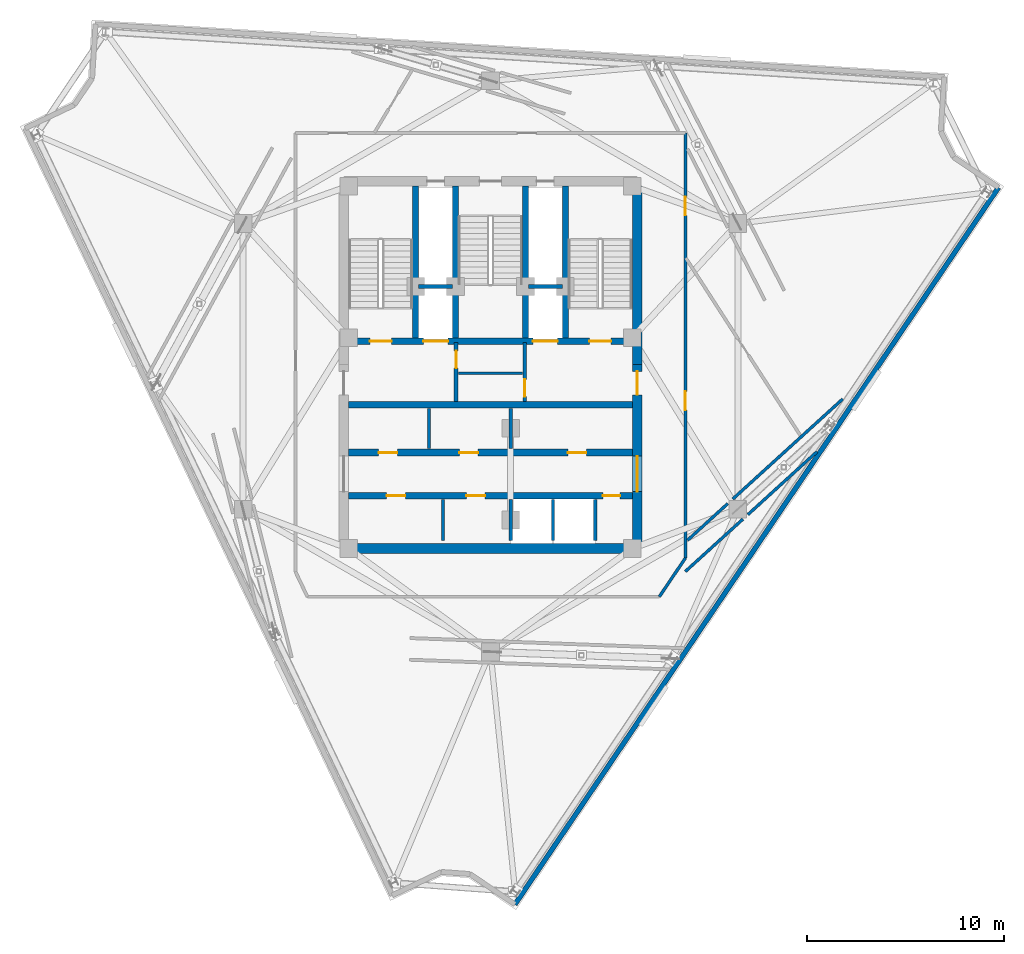
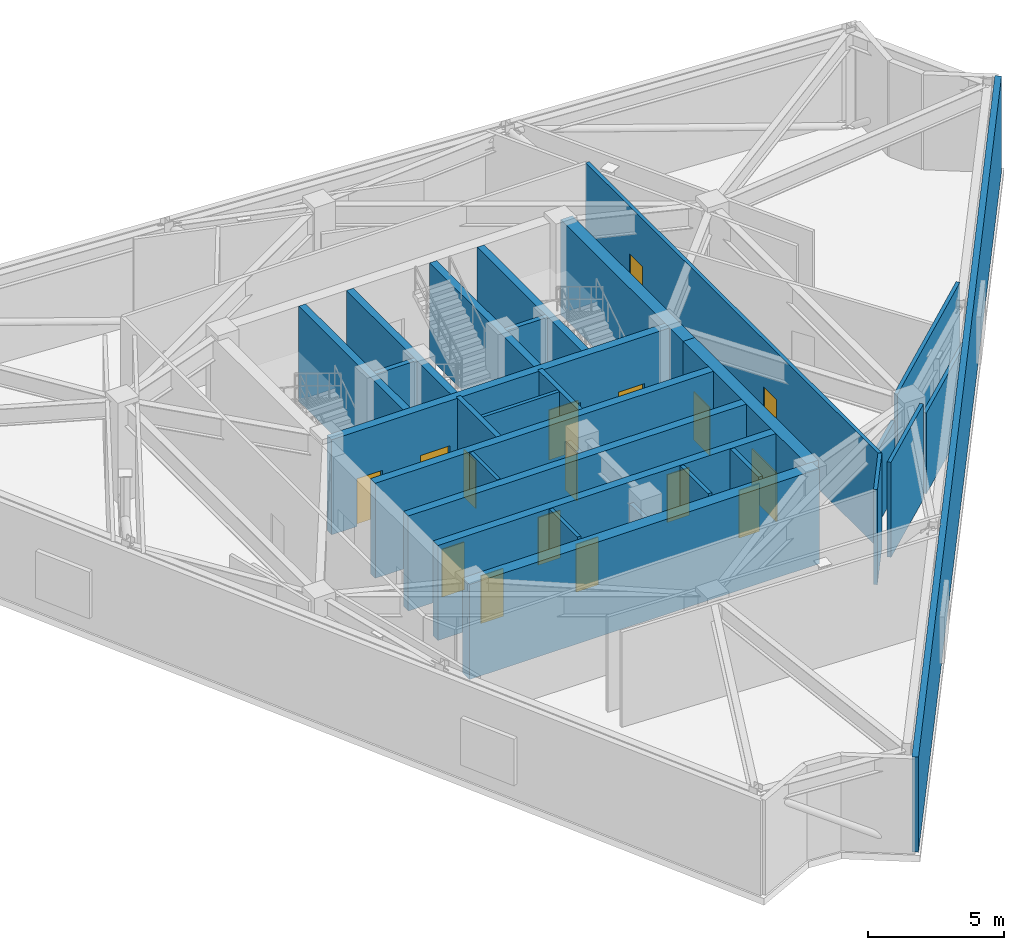
# One storey, part 8 of 11: 29 walls, 16 doors, 16 openings.
"""IFC4 building model written with IfcOpenShell, lengths in metres."""

from ifc_helpers import new_model, si_unit, direction, frame, frame_2d, origin, place, context, subcontext, project, spatial, rectangle, extrude, material, layer, layer_set, type_object, element, fill, save


model = new_model("IFC4")

# Units and contexts
model_context = context("Model", 3, precision=1e-05, world=origin(), true_north=direction((0.0, 1.0)))
body_context = subcontext(model_context, "Body", "Model", "MODEL_VIEW")
ifc_project = project(units=[si_unit("LENGTHUNIT", "METRE"), si_unit("AREAUNIT", "SQUARE_METRE"), si_unit("VOLUMEUNIT", "CUBIC_METRE"), si_unit("PLANEANGLEUNIT", "RADIAN"), si_unit("MASSUNIT", "GRAM", prefix="KILO")], contexts=[model_context])

# Site, building, storey
site_placement = place(None, origin())
site = spatial("IfcSite", under=ifc_project, at=site_placement, CompositionType="ELEMENT")
building_placement = place(site_placement, origin())
building = spatial("IfcBuilding", under=site, at=building_placement, Name="Apsidion Concourse Tower", CompositionType="ELEMENT")
storey_placement = place(building_placement, frame((0.0, 0.0, 328.0)))
storey = spatial("IfcBuildingStorey", under=building, at=storey_placement, Name="L77", CompositionType="ELEMENT", Elevation=328.0)

# Walls
ifc_material_1 = material(Name="Precast concrete C40/50", Category="concrete")
ifc_layer_1 = layer(ifc_material_1, 0.25)
ifc_layer_set_1 = layer_set([ifc_layer_1], Name="Precast concrete C40/50")
wall_type_1 = type_object("IfcWallType", Name="WL-EXT-250", PredefinedType="STANDARD", material=ifc_layer_set_1)
wall_1_placement = place(storey_placement, frame((25.800048828125, 9.0830078125, 0.0), z_axis=(0.0, 0.0, 1.0), x_axis=(-0.55919392155, -0.829036885851, 0.0)))
element("IfcWall", 1, at=wall_1_placement, inside=storey, type_object=wall_type_1, Name="L77 Precast Stone Facade Wall 05", PredefinedType="STANDARD", context=body_context, shape_type="SweptSolid", body=[
    extrude(rectangle(XDim=43.914794921875, YDim=0.25, at=frame_2d((21.95751953125, 0.0))), origin(), (0.0, 0.0, 1.0), 4.280029296875),
])
ifc_material_2 = material(Name="Gypsum plasterboard partition")
ifc_layer_2 = layer(ifc_material_2, 0.14990234375)
ifc_layer_set_2 = layer_set([ifc_layer_2], Name="Gypsum plasterboard partition")
wall_type_2 = type_object("IfcWallType", Name="WL-INT-PAR-150", PredefinedType="PARTITIONING", material=ifc_layer_set_2)
wall_2_placement = place(storey_placement, frame((-3.1201171875, -4.179931640625, 0.0), z_axis=(0.0, 0.0, 1.0), x_axis=(0.0, 1.0, 0.0)))
element("IfcWall", 2, at=wall_2_placement, inside=storey, type_object=wall_type_2, Name="L77 Interior Partition WL-L77-B1RV1", PredefinedType="PARTITIONING", context=body_context, shape_type="SweptSolid", body=[
    extrude(rectangle(XDim=2.030029296875, YDim=0.14990234375, at=frame_2d((1.01513671875, 0.0))), origin(), (0.0, 0.0, 1.0), 4.280029296875),
])
for number, where, z_axis, x_axis, name in (
    (3, (-2.39990234375, -8.85009765625, 0.0), (0.0, 0.0, 1.0), (0.0, 1.0, 0.0), "L77 Interior Partition WL-L77-B2RV1"),
    (4, (3.175048828125, -8.85009765625, 0.0), (0.0, 0.0, 1.0), (0.0, 1.0, 0.0), "L77 Interior Partition WL-L77-SHDIV-1"),
):
    element("IfcWall", number, at=place(storey_placement, frame(where, z_axis=z_axis, x_axis=x_axis)), inside=storey, type_object=wall_type_2, Name=name, PredefinedType="PARTITIONING", context=body_context, shape_type="SweptSolid", body=[
        extrude(rectangle(XDim=2.080078125, YDim=0.14990234375, at=frame_2d((1.0400390625, 0.0))), origin(), (0.0, 0.0, 1.0), 4.280029296875),
    ])
wall_3_placement = place(storey_placement, frame((-1.6298828125, -0.35009765625, 0.0), z_axis=(0.0, 0.0, 1.0), x_axis=(1.0, 0.0, 0.0)))
element("IfcWall", 5, at=wall_3_placement, inside=storey, type_object=wall_type_2, Name="L77 Interior Partition WL-L77-K2H", PredefinedType="PARTITIONING", context=body_context, shape_type="SweptSolid", body=[
    extrude(rectangle(XDim=3.259765625, YDim=0.14990234375, at=frame_2d((1.6298828125, 0.0))), origin(), (0.0, 0.0, 1.0), 4.280029296875),
])

# Wall, openings, doors
wall_4_placement = place(storey_placement, frame((9.89990234375, 11.85009765625, 0.0), z_axis=(0.0, 0.0, 1.0), x_axis=(0.0, -1.0, 0.0)))
wall_4 = element("IfcWall", 6, at=wall_4_placement, inside=storey, type_object=wall_type_2, Name="L77 Interior Partition WL-L77-CORR-02", PredefinedType="PARTITIONING", context=body_context, shape_type="SweptSolid", body=[
    extrude(rectangle(XDim=21.5830078125, YDim=0.14990234375, at=frame_2d((10.79150390625, 0.0))), origin(), (0.0, 0.0, 1.0), 4.280029296875),
])
opening_1_placement = place(wall_4_placement, frame((13.117919921875, 0.0, 0.0)))
opening_1 = element("IfcOpeningElement", 7, at=opening_1_placement, cuts=wall_4, Name="Opening D-01R", PredefinedType="OPENING", context=body_context, shape_type="SweptSolid", body=[
    extrude(rectangle(XDim=0.949951171875, YDim=2.14990234375, at=frame_2d((0.47509765625, 1.074951171875))), frame((0.0, 0.0849609375, 0.0), z_axis=(0.0, -1.0, 0.0), x_axis=(1.0, 0.0, 0.0)), (0.0, 0.0, 1.0), 0.169921875),
])
opening_2_placement = place(wall_4_placement, frame((3.230712890625, 0.0, 0.0)))
opening_2 = element("IfcOpeningElement", 8, at=opening_2_placement, cuts=wall_4, Name="Opening D-01L", PredefinedType="OPENING", context=body_context, shape_type="SweptSolid", body=[
    extrude(rectangle(XDim=0.949951171875, YDim=2.14990234375, at=frame_2d((0.47509765625, 1.074951171875))), frame((0.0, 0.0849609375, 0.0), z_axis=(0.0, -1.0, 0.0), x_axis=(1.0, 0.0, 0.0)), (0.0, 0.0, 1.0), 0.169921875),
])
ifc_material_3 = material(Name="Brushed stainless steel 316", Category="steel")
door_type_1 = type_object("IfcDoorType", Name="DR-INT-D01L", OperationType="SINGLE_SWING_LEFT", PredefinedType="DOOR", material=ifc_material_3)
door_1_placement = place(opening_2_placement, origin())
door_1 = element("IfcDoor", 9, at=door_1_placement, inside=storey, type_object=door_type_1, Name="L77 Corridor Entry Door 03", OperationType="SINGLE_SWING_LEFT", OverallHeight=2.14990234375, OverallWidth=0.949951171875, PredefinedType="DOOR", context=body_context, shape_type="SweptSolid", body=[
    extrude(rectangle(XDim=0.949951171875, YDim=2.14990234375, at=frame_2d((0.47509765625, 1.074951171875))), frame((0.0, 0.02490234375, 0.0), z_axis=(0.0, -1.0, 0.0), x_axis=(1.0, 0.0, 0.0)), (0.0, 0.0, 1.0), 0.050048828125),
])
fill(opening_2, door_1)
door_type_2 = type_object("IfcDoorType", Name="DR-INT-D01R", OperationType="SINGLE_SWING_RIGHT", PredefinedType="DOOR", material=ifc_material_3)
door_2_placement = place(opening_1_placement, origin())
door_2 = element("IfcDoor", 10, at=door_2_placement, inside=storey, type_object=door_type_2, Name="L77 Corridor Entry Door 02", OperationType="SINGLE_SWING_RIGHT", OverallHeight=2.14990234375, OverallWidth=0.949951171875, PredefinedType="DOOR", context=body_context, shape_type="SweptSolid", body=[
    extrude(rectangle(XDim=0.949951171875, YDim=2.14990234375, at=frame_2d((0.47509765625, 1.074951171875))), frame((0.0, 0.02490234375, 0.0), z_axis=(0.0, -1.0, 0.0), x_axis=(1.0, 0.0, 0.0)), (0.0, 0.0, 1.0), 0.050048828125),
])
fill(opening_1, door_2)

# Walls
wall_5_placement = place(storey_placement, frame((9.89990234375, -9.73291015625, 0.0), z_axis=(0.0, 0.0, 1.0), x_axis=(-0.55922719329, -0.829014442748, 0.0)))
element("IfcWall", 11, at=wall_5_placement, inside=storey, type_object=wall_type_2, Name="L77 Interior Partition WL-L77-CORR-03", PredefinedType="PARTITIONING", context=body_context, shape_type="SweptSolid", body=[
    extrude(rectangle(XDim=2.372802734375, YDim=0.14990234375, at=frame_2d((1.1865234375, 0.0))), origin(), (0.0, 0.0, 1.0), 4.280029296875),
])
wall_6_placement = place(storey_placement, frame((9.89794921875, -10.416259765625, 0.0), z_axis=(0.0, 0.0, 1.0), x_axis=(0.739604087052, 0.673042193637, 0.0)))
element("IfcWall", 12, at=wall_6_placement, inside=storey, type_object=wall_type_2, Name="L77 Interior Partition WL-L77-OTW-02-1-1", PredefinedType="PARTITIONING", context=body_context, shape_type="SweptSolid", body=[
    extrude(rectangle(XDim=3.946533203125, YDim=0.14990234375, at=frame_2d((1.97314453125, 0.0))), origin(), (0.0, 0.0, 1.0), 4.280029296875),
])
wall_7_placement = place(storey_placement, frame((13.070068359375, -7.529541015625, 0.0), z_axis=(0.0, 0.0, 1.0), x_axis=(0.739574596272, 0.673074599542, 0.0)))
element("IfcWall", 13, at=wall_7_placement, inside=storey, type_object=wall_type_2, Name="L77 Interior Partition WL-L77-OTW-02-1-2", PredefinedType="PARTITIONING", context=body_context, shape_type="SweptSolid", body=[
    extrude(rectangle(XDim=4.7470703125, YDim=0.14990234375, at=frame_2d((2.37353515625, 0.0))), origin(), (0.0, 0.0, 1.0), 3.64306640625),
])
wall_8_placement = place(storey_placement, frame((10.0048828125, -8.83154296875, 0.0), z_axis=(0.0, 0.0, 1.0), x_axis=(0.739608395244, 0.673037459347, 0.0)))
element("IfcWall", 14, at=wall_8_placement, inside=storey, type_object=wall_type_2, Name="L77 Interior Partition WL-L77-OTW-02-2-1", PredefinedType="PARTITIONING", context=body_context, shape_type="SweptSolid", body=[
    extrude(rectangle(XDim=2.76513671875, YDim=0.14990234375, at=frame_2d((1.382568359375, 0.0))), origin(), (0.0, 0.0, 1.0), 3.327880859375),
])
wall_9_placement = place(storey_placement, frame((12.30322265625, -6.739990234375, 0.0), z_axis=(0.0, 0.0, 1.0), x_axis=(0.739586009674, 0.673062058279, 0.0)))
element("IfcWall", 15, at=wall_9_placement, inside=storey, type_object=wall_type_2, Name="L77 Interior Partition WL-L77-OTW-02-2-2", PredefinedType="PARTITIONING", context=body_context, shape_type="SweptSolid", body=[
    extrude(rectangle(XDim=7.552734375, YDim=0.14990234375, at=frame_2d((3.7763671875, 0.0))), origin(), (0.0, 0.0, 1.0), 4.280029296875),
])
ifc_layer_3 = layer(ifc_material_2, 0.179931640625)
ifc_layer_set_3 = layer_set([ifc_layer_3], Name="Gypsum plasterboard partition")
wall_type_3 = type_object("IfcWallType", Name="WL-INT-PAR-180", PredefinedType="PARTITIONING", material=ifc_layer_set_3)
wall_10_placement = place(storey_placement, frame((1.02490234375, -4.179931640625, 0.0), z_axis=(0.0, 0.0, 1.0), x_axis=(0.0, 1.0, 0.0)))
element("IfcWall", 16, at=wall_10_placement, inside=storey, type_object=wall_type_3, Name="L77 Interior Partition WL-L77-B1END", PredefinedType="PARTITIONING", context=body_context, shape_type="SweptSolid", body=[
    extrude(rectangle(XDim=2.030029296875, YDim=0.179931640625, at=frame_2d((1.01513671875, 0.0))), origin(), (0.0, 0.0, 1.0), 3.327880859375),
])
wall_11_placement = place(storey_placement, frame((1.02490234375, -8.85009765625, 0.0), z_axis=(0.0, 0.0, 1.0), x_axis=(0.0, 1.0, 0.0)))
element("IfcWall", 17, at=wall_11_placement, inside=storey, type_object=wall_type_3, Name="L77 Interior Partition WL-L77-B2END", PredefinedType="PARTITIONING", context=body_context, shape_type="SweptSolid", body=[
    extrude(rectangle(XDim=2.080078125, YDim=0.179931640625, at=frame_2d((1.0400390625, 0.0))), origin(), (0.0, 0.0, 1.0), 3.327880859375),
])
wall_12_placement = place(storey_placement, frame((5.324951171875, -8.85009765625, 0.0), z_axis=(0.0, 0.0, 1.0), x_axis=(0.0, 1.0, 0.0)))
element("IfcWall", 18, at=wall_12_placement, inside=storey, type_object=wall_type_3, Name="L77 Interior Partition WL-L77-SHDIV-2", PredefinedType="PARTITIONING", context=body_context, shape_type="SweptSolid", body=[
    extrude(rectangle(XDim=2.080078125, YDim=0.179931640625, at=frame_2d((1.0400390625, 0.0))), origin(), (0.0, 0.0, 1.0), 4.280029296875),
])
ifc_layer_4 = layer(ifc_material_2, 0.199951171875)
ifc_layer_set_4 = layer_set([ifc_layer_4], Name="Gypsum plasterboard partition")
wall_type_4 = type_object("IfcWallType", Name="WL-INT-PAR-200", PredefinedType="PARTITIONING", material=ifc_layer_set_4)
for number, where, z_axis, x_axis, name in (
    (19, (-3.64990234375, 4.050048828125, 0.0), (0.0, 0.0, 1.0), (1.0, 0.0, 0.0), "L77 Interior Partition WL-L77-FF1-N"),
    (20, (1.919921875, 4.050048828125, 0.0), (0.0, 0.0, 1.0), (1.0, 0.0, 0.0), "L77 Interior Partition WL-L77-FF2-N"),
):
    element("IfcWall", number, at=place(storey_placement, frame(where, z_axis=z_axis, x_axis=x_axis)), inside=storey, type_object=wall_type_4, Name=name, PredefinedType="PARTITIONING", context=body_context, shape_type="SweptSolid", body=[
        extrude(rectangle(XDim=1.72998046875, YDim=0.199951171875, at=frame_2d((0.864990234375, 0.0))), origin(), (0.0, 0.0, 1.0), 4.280029296875),
    ])

# Wall, opening, door
wall_13_placement = place(storey_placement, frame((-1.739990234375, -1.780029296875, 0.0), z_axis=(0.0, 0.0, 1.0), x_axis=(0.0, 1.0, 0.0)))
wall_13 = element("IfcWall", 21, at=wall_13_placement, inside=storey, type_object=wall_type_4, Name="L77 Interior Partition WL-L77-FF1-E", PredefinedType="PARTITIONING", context=body_context, shape_type="SweptSolid", body=[
    extrude(rectangle(XDim=2.97998046875, YDim=0.199951171875, at=frame_2d((1.489990234375, 0.0))), origin(), (0.0, 0.0, 1.0), 4.280029296875),
])
opening_3_placement = place(wall_13_placement, frame((1.68994140625, 0.0, 0.0)))
opening_3 = element("IfcOpeningElement", 22, at=opening_3_placement, cuts=wall_13, Name="Opening D-05L", PredefinedType="OPENING", context=body_context, shape_type="SweptSolid", body=[
    extrude(rectangle(XDim=0.8798828125, YDim=2.14990234375, at=frame_2d((0.43994140625, 1.074951171875))), frame((0.0, 0.10986328125, 0.0), z_axis=(0.0, -1.0, 0.0), x_axis=(1.0, 0.0, 0.0)), (0.0, 0.0, 1.0), 0.219970703125),
])
door_type_3 = type_object("IfcDoorType", Name="DR-INT-D05L", OperationType="SINGLE_SWING_LEFT", PredefinedType="DOOR", material=ifc_material_3)
door_3_placement = place(opening_3_placement, origin())
door_3 = element("IfcDoor", 23, at=door_3_placement, inside=storey, type_object=door_type_3, Name="L77 Core Staff WC Door", OperationType="SINGLE_SWING_LEFT", OverallHeight=2.14990234375, OverallWidth=0.8798828125, PredefinedType="DOOR", context=body_context, shape_type="SweptSolid", body=[
    extrude(rectangle(XDim=0.8798828125, YDim=2.14990234375, at=frame_2d((0.43994140625, 1.074951171875))), frame((0.0, 0.02490234375, 0.0), z_axis=(0.0, -1.0, 0.0), x_axis=(1.0, 0.0, 0.0)), (0.0, 0.0, 1.0), 0.050048828125),
])
fill(opening_3, door_3)

wall_14_placement = place(storey_placement, frame((1.739990234375, -1.780029296875, 0.0), z_axis=(0.0, 0.0, 1.0), x_axis=(0.0, 1.0, 0.0)))
wall_14 = element("IfcWall", 24, at=wall_14_placement, inside=storey, type_object=wall_type_4, Name="L77 Interior Partition WL-L77-FF2-W", PredefinedType="PARTITIONING", context=body_context, shape_type="SweptSolid", body=[
    extrude(rectangle(XDim=2.97998046875, YDim=0.199951171875, at=frame_2d((1.489990234375, 0.0))), origin(), (0.0, 0.0, 1.0), 4.280029296875),
])
opening_4_placement = place(wall_14_placement, frame((0.239990234375, 0.0, 0.0)))
opening_4 = element("IfcOpeningElement", 25, at=opening_4_placement, cuts=wall_14, Name="Opening D-05R", PredefinedType="OPENING", context=body_context, shape_type="SweptSolid", body=[
    extrude(rectangle(XDim=0.8798828125, YDim=2.14990234375, at=frame_2d((0.43994140625, 1.074951171875))), frame((0.0, 0.10986328125, 0.0), z_axis=(0.0, -1.0, 0.0), x_axis=(1.0, 0.0, 0.0)), (0.0, 0.0, 1.0), 0.219970703125),
])
door_type_4 = type_object("IfcDoorType", Name="DR-INT-D05R", OperationType="SINGLE_SWING_RIGHT", PredefinedType="DOOR", material=ifc_material_3)
door_4_placement = place(opening_4_placement, origin())
door_4 = element("IfcDoor", 26, at=door_4_placement, inside=storey, type_object=door_type_4, Name="L77 Core Supply Store Door", OperationType="SINGLE_SWING_RIGHT", OverallHeight=2.14990234375, OverallWidth=0.8798828125, PredefinedType="DOOR", context=body_context, shape_type="SweptSolid", body=[
    extrude(rectangle(XDim=0.8798828125, YDim=2.14990234375, at=frame_2d((0.43994140625, 1.074951171875))), frame((0.0, 0.02490234375, 0.0), z_axis=(0.0, -1.0, 0.0), x_axis=(1.0, 0.0, 0.0)), (0.0, 0.0, 1.0), 0.050048828125),
])
fill(opening_4, door_4)

# Walls
ifc_material_4 = material(Name="Concrete C50/60", Category="concrete")
ifc_layer_5 = layer(ifc_material_4, 0.300048828125)
ifc_layer_set_5 = layer_set([ifc_layer_5], Name="Concrete C50/60")
wall_type_5 = type_object("IfcWallType", Name="WL-SH-300", PredefinedType="SHEAR", material=ifc_layer_set_5)
for number, where, z_axis, x_axis, name in (
    (27, (-3.800048828125, 1.449951171875, 0.0), (0.0, 0.0, 1.0), (0.0, 1.0, 0.0), "L77 Central Core Shear Wall V1"),
    (28, (-1.77490234375, 1.449951171875, 0.0), (0.0, 0.0, 1.0), (0.0, 1.0, 0.0), "L77 Central Core Shear Wall V2"),
    (29, (1.77490234375, 1.449951171875, 0.0), (0.0, 0.0, 1.0), (0.0, 1.0, 0.0), "L77 Central Core Shear Wall V3"),
    (30, (3.800048828125, 1.449951171875, 0.0), (0.0, 0.0, 1.0), (0.0, 1.0, 0.0), "L77 Central Core Shear Wall V4"),
):
    element("IfcWall", number, at=place(storey_placement, frame(where, z_axis=z_axis, x_axis=x_axis)), inside=storey, type_object=wall_type_5, Name=name, PredefinedType="SHEAR", context=body_context, shape_type="SweptSolid", body=[
        extrude(rectangle(XDim=7.699951171875, YDim=0.300048828125, at=frame_2d((3.85009765625, 0.0))), origin(), (0.0, 0.0, 1.0), 4.280029296875),
    ])

# Wall, openings, doors
ifc_layer_6 = layer(ifc_material_4, 0.35009765625)
ifc_layer_set_6 = layer_set([ifc_layer_6], Name="Concrete C50/60")
wall_type_6 = type_object("IfcWallType", Name="WL-SH-350", PredefinedType="SHEAR", material=ifc_layer_set_6)
wall_15_placement = place(storey_placement, frame((-7.199951171875, 1.27490234375, 0.0), z_axis=(0.0, 0.0, 1.0), x_axis=(1.0, 0.0, 0.0)))
wall_15 = element("IfcWall", 31, at=wall_15_placement, inside=storey, type_object=wall_type_6, Name="L77 Central Core Shear Wall M1", PredefinedType="SHEAR", context=body_context, shape_type="SweptSolid", body=[
    extrude(rectangle(XDim=14.39990234375, YDim=0.35009765625, at=frame_2d((7.199951171875, 0.0))), origin(), (0.0, 0.0, 1.0), 4.280029296875),
])
opening_5_placement = place(wall_15_placement, frame((3.794921875, 0.0, 0.0)))
opening_5 = element("IfcOpeningElement", 32, at=opening_5_placement, cuts=wall_15, Name="Opening LD-FF", PredefinedType="OPENING", context=body_context, shape_type="SweptSolid", body=[
    extrude(rectangle(XDim=1.25, YDim=2.25, at=frame_2d((0.625, 1.125))), frame((0.0, 0.18505859375, 0.0), z_axis=(0.0, -1.0, 0.0), x_axis=(1.0, 0.0, 0.0)), (0.0, 0.0, 1.0), 0.3701171875),
])
opening_6_placement = place(wall_15_placement, frame((9.35498046875, 0.0, 0.0)))
opening_6 = element("IfcOpeningElement", 33, at=opening_6_placement, cuts=wall_15, Name="Opening LD-FF", PredefinedType="OPENING", context=body_context, shape_type="SweptSolid", body=[
    extrude(rectangle(XDim=1.25, YDim=2.25, at=frame_2d((0.625, 1.125))), frame((0.0, 0.18505859375, 0.0), z_axis=(0.0, -1.0, 0.0), x_axis=(1.0, 0.0, 0.0)), (0.0, 0.0, 1.0), 0.3701171875),
])
opening_7_placement = place(wall_15_placement, frame((1.074951171875, 0.0, 0.0)))
opening_7 = element("IfcOpeningElement", 34, at=opening_7_placement, cuts=wall_15, Name="Opening D-STL", PredefinedType="OPENING", context=body_context, shape_type="SweptSolid", body=[
    extrude(rectangle(XDim=1.10009765625, YDim=2.14990234375, at=frame_2d((0.550048828125, 1.074951171875))), frame((0.0, 0.18505859375, 0.0), z_axis=(0.0, -1.0, 0.0), x_axis=(1.0, 0.0, 0.0)), (0.0, 0.0, 1.0), 0.3701171875),
])
opening_8_placement = place(wall_15_placement, frame((12.22509765625, 0.0, 0.0)))
opening_8 = element("IfcOpeningElement", 35, at=opening_8_placement, cuts=wall_15, Name="Opening D-STR", PredefinedType="OPENING", context=body_context, shape_type="SweptSolid", body=[
    extrude(rectangle(XDim=1.10009765625, YDim=2.14990234375, at=frame_2d((0.550048828125, 1.074951171875))), frame((0.0, 0.18505859375, 0.0), z_axis=(0.0, -1.0, 0.0), x_axis=(1.0, 0.0, 0.0)), (0.0, 0.0, 1.0), 0.3701171875),
])
door_type_5 = type_object("IfcDoorType", Name="DR-INT-ST1L", OperationType="SINGLE_SWING_LEFT", PredefinedType="DOOR", material=ifc_material_3)
door_5_placement = place(opening_7_placement, origin())
door_5 = element("IfcDoor", 36, at=door_5_placement, inside=storey, type_object=door_type_5, Name="L77 Core Exit Stair ST1 Door", OperationType="SINGLE_SWING_LEFT", OverallHeight=2.14990234375, OverallWidth=1.10009765625, PredefinedType="DOOR", context=body_context, shape_type="SweptSolid", body=[
    extrude(rectangle(XDim=1.10009765625, YDim=2.14990234375, at=frame_2d((0.550048828125, 1.074951171875))), frame((0.0, 0.02490234375, 0.0), z_axis=(0.0, -1.0, 0.0), x_axis=(1.0, 0.0, 0.0)), (0.0, 0.0, 1.0), 0.050048828125),
])
fill(opening_7, door_5)
door_type_6 = type_object("IfcDoorType", Name="DR-INT-ST1R", OperationType="SINGLE_SWING_RIGHT", PredefinedType="DOOR", material=ifc_material_3)
door_6_placement = place(opening_8_placement, origin())
door_6 = element("IfcDoor", 37, at=door_6_placement, inside=storey, type_object=door_type_6, Name="L77 Core Exit Stair ST2 Door", OperationType="SINGLE_SWING_RIGHT", OverallHeight=2.14990234375, OverallWidth=1.10009765625, PredefinedType="DOOR", context=body_context, shape_type="SweptSolid", body=[
    extrude(rectangle(XDim=1.10009765625, YDim=2.14990234375, at=frame_2d((0.550048828125, 1.074951171875))), frame((0.0, 0.02490234375, 0.0), z_axis=(0.0, -1.0, 0.0), x_axis=(1.0, 0.0, 0.0)), (0.0, 0.0, 1.0), 0.050048828125),
])
fill(opening_8, door_6)
door_type_7 = type_object("IfcDoorType", Name="DR-LD-FSAE", OperationType="DOUBLE_DOOR_SLIDING", PredefinedType="DOOR", material=ifc_material_3)
door_7_placement = place(opening_5_placement, origin())
door_7 = element("IfcDoor", 38, at=door_7_placement, inside=storey, type_object=door_type_7, Name="L77 Lift Landing Door FF1", OperationType="DOUBLE_DOOR_SLIDING", OverallHeight=2.25, OverallWidth=1.25, PredefinedType="DOOR", context=body_context, shape_type="SweptSolid", body=[
    extrude(rectangle(XDim=1.25, YDim=2.25, at=frame_2d((0.625, 1.125))), frame((0.0, 0.02490234375, 0.0), z_axis=(0.0, -1.0, 0.0), x_axis=(1.0, 0.0, 0.0)), (0.0, 0.0, 1.0), 0.050048828125),
])
fill(opening_5, door_7)
door_8_placement = place(opening_6_placement, origin())
door_8 = element("IfcDoor", 39, at=door_8_placement, inside=storey, type_object=door_type_7, Name="L77 Lift Landing Door FF2", OperationType="DOUBLE_DOOR_SLIDING", OverallHeight=2.25, OverallWidth=1.25, PredefinedType="DOOR", context=body_context, shape_type="SweptSolid", body=[
    extrude(rectangle(XDim=1.25, YDim=2.25, at=frame_2d((0.625, 1.125))), frame((0.0, 0.02490234375, 0.0), z_axis=(0.0, -1.0, 0.0), x_axis=(1.0, 0.0, 0.0)), (0.0, 0.0, 1.0), 0.050048828125),
])
fill(opening_6, door_8)

# Wall
wall_16_placement = place(storey_placement, frame((-7.199951171875, -1.949951171875, 0.0), z_axis=(0.0, 0.0, 1.0), x_axis=(1.0, 0.0, 0.0)))
element("IfcWall", 40, at=wall_16_placement, inside=storey, type_object=wall_type_6, Name="L77 Central Core Shear Wall M2", PredefinedType="SHEAR", context=body_context, shape_type="SweptSolid", body=[
    extrude(rectangle(XDim=14.39990234375, YDim=0.35009765625, at=frame_2d((7.199951171875, 0.0))), origin(), (0.0, 0.0, 1.0), 4.280029296875),
])

# Wall, openings, doors
wall_17_placement = place(storey_placement, frame((-7.199951171875, -4.3798828125, 0.0), z_axis=(0.0, 0.0, 1.0), x_axis=(1.0, 0.0, 0.0)))
wall_17 = element("IfcWall", 41, at=wall_17_placement, inside=storey, type_object=wall_type_6, Name="L77 Central Core Shear Wall LA", PredefinedType="SHEAR", context=body_context, shape_type="SweptSolid", body=[
    extrude(rectangle(XDim=14.39990234375, YDim=0.35009765625, at=frame_2d((7.199951171875, 0.0))), origin(), (0.0, 0.0, 1.0), 4.280029296875),
])
opening_9_placement = place(wall_17_placement, frame((1.52490234375, 0.0, 0.0)))
opening_9 = element("IfcOpeningElement", 42, at=opening_9_placement, cuts=wall_17, Name="Opening D-04L", PredefinedType="OPENING", context=body_context, shape_type="SweptSolid", body=[
    extrude(rectangle(XDim=0.949951171875, YDim=2.14990234375, at=frame_2d((0.47509765625, 1.074951171875))), frame((0.0, 0.18505859375, 0.0), z_axis=(0.0, -1.0, 0.0), x_axis=(1.0, 0.0, 0.0)), (0.0, 0.0, 1.0), 0.3701171875),
])
opening_10_placement = place(wall_17_placement, frame((5.625, 0.0, 0.0)))
opening_10 = element("IfcOpeningElement", 43, at=opening_10_placement, cuts=wall_17, Name="Opening D-04R", PredefinedType="OPENING", context=body_context, shape_type="SweptSolid", body=[
    extrude(rectangle(XDim=0.949951171875, YDim=2.14990234375, at=frame_2d((0.47509765625, 1.074951171875))), frame((0.0, 0.18505859375, 0.0), z_axis=(0.0, -1.0, 0.0), x_axis=(1.0, 0.0, 0.0)), (0.0, 0.0, 1.0), 0.3701171875),
])
opening_11_placement = place(wall_17_placement, frame((11.125, 0.0, 0.0)))
opening_11 = element("IfcOpeningElement", 44, at=opening_11_placement, cuts=wall_17, Name="Opening D-04R", PredefinedType="OPENING", context=body_context, shape_type="SweptSolid", body=[
    extrude(rectangle(XDim=0.949951171875, YDim=2.14990234375, at=frame_2d((0.47509765625, 1.074951171875))), frame((0.0, 0.18505859375, 0.0), z_axis=(0.0, -1.0, 0.0), x_axis=(1.0, 0.0, 0.0)), (0.0, 0.0, 1.0), 0.3701171875),
])
door_type_8 = type_object("IfcDoorType", Name="DR-INT-D04L", OperationType="SINGLE_SWING_LEFT", PredefinedType="DOOR", material=ifc_material_3)
door_9_placement = place(opening_9_placement, origin())
door_9 = element("IfcDoor", 45, at=door_9_placement, inside=storey, type_object=door_type_8, Name="L77 Tenant Archive Room West Door", OperationType="SINGLE_SWING_LEFT", OverallHeight=2.14990234375, OverallWidth=0.949951171875, PredefinedType="DOOR", context=body_context, shape_type="SweptSolid", body=[
    extrude(rectangle(XDim=0.949951171875, YDim=2.14990234375, at=frame_2d((0.47509765625, 1.074951171875))), frame((0.0, 0.02490234375, 0.0), z_axis=(0.0, -1.0, 0.0), x_axis=(1.0, 0.0, 0.0)), (0.0, 0.0, 1.0), 0.050048828125),
])
fill(opening_9, door_9)
door_type_9 = type_object("IfcDoorType", Name="DR-INT-D04R", OperationType="SINGLE_SWING_RIGHT", PredefinedType="DOOR", material=ifc_material_3)
door_10_placement = place(opening_10_placement, origin())
door_10 = element("IfcDoor", 46, at=door_10_placement, inside=storey, type_object=door_type_9, Name="L77 Core Print and Copy Room Door", OperationType="SINGLE_SWING_RIGHT", OverallHeight=2.14990234375, OverallWidth=0.949951171875, PredefinedType="DOOR", context=body_context, shape_type="SweptSolid", body=[
    extrude(rectangle(XDim=0.949951171875, YDim=2.14990234375, at=frame_2d((0.47509765625, 1.074951171875))), frame((0.0, 0.02490234375, 0.0), z_axis=(0.0, -1.0, 0.0), x_axis=(1.0, 0.0, 0.0)), (0.0, 0.0, 1.0), 0.050048828125),
])
fill(opening_10, door_10)
door_11_placement = place(opening_11_placement, origin())
door_11 = element("IfcDoor", 47, at=door_11_placement, inside=storey, type_object=door_type_9, Name="L77 Telemetry Room Door", OperationType="SINGLE_SWING_RIGHT", OverallHeight=2.14990234375, OverallWidth=0.949951171875, PredefinedType="DOOR", context=body_context, shape_type="SweptSolid", body=[
    extrude(rectangle(XDim=0.949951171875, YDim=2.14990234375, at=frame_2d((0.47509765625, 1.074951171875))), frame((0.0, 0.02490234375, 0.0), z_axis=(0.0, -1.0, 0.0), x_axis=(1.0, 0.0, 0.0)), (0.0, 0.0, 1.0), 0.050048828125),
])
fill(opening_11, door_11)

wall_18_placement = place(storey_placement, frame((-7.199951171875, -6.570068359375, 0.0), z_axis=(0.0, 0.0, 1.0), x_axis=(1.0, 0.0, 0.0)))
wall_18 = element("IfcWall", 48, at=wall_18_placement, inside=storey, type_object=wall_type_6, Name="L77 Central Core Shear Wall LB", PredefinedType="SHEAR", context=body_context, shape_type="SweptSolid", body=[
    extrude(rectangle(XDim=14.39990234375, YDim=0.35009765625, at=frame_2d((7.199951171875, 0.0))), origin(), (0.0, 0.0, 1.0), 4.280029296875),
])
opening_12_placement = place(wall_18_placement, frame((1.925048828125, 0.0, 0.0)))
opening_12 = element("IfcOpeningElement", 49, at=opening_12_placement, cuts=wall_18, Name="Opening D-04R", PredefinedType="OPENING", context=body_context, shape_type="SweptSolid", body=[
    extrude(rectangle(XDim=0.949951171875, YDim=2.14990234375, at=frame_2d((0.47509765625, 1.074951171875))), frame((0.0, 0.18505859375, 0.0), z_axis=(0.0, -1.0, 0.0), x_axis=(1.0, 0.0, 0.0)), (0.0, 0.0, 1.0), 0.3701171875),
])
opening_13_placement = place(wall_18_placement, frame((5.97509765625, 0.0, 0.0)))
opening_13 = element("IfcOpeningElement", 50, at=opening_13_placement, cuts=wall_18, Name="Opening D-04L", PredefinedType="OPENING", context=body_context, shape_type="SweptSolid", body=[
    extrude(rectangle(XDim=0.949951171875, YDim=2.14990234375, at=frame_2d((0.47509765625, 1.074951171875))), frame((0.0, 0.18505859375, 0.0), z_axis=(0.0, -1.0, 0.0), x_axis=(1.0, 0.0, 0.0)), (0.0, 0.0, 1.0), 0.3701171875),
])
opening_14_placement = place(wall_18_placement, frame((12.909912109375, 0.0, 0.0)))
opening_14 = element("IfcOpeningElement", 51, at=opening_14_placement, cuts=wall_18, Name="Opening D-05L", PredefinedType="OPENING", context=body_context, shape_type="SweptSolid", body=[
    extrude(rectangle(XDim=0.8798828125, YDim=2.14990234375, at=frame_2d((0.43994140625, 1.074951171875))), frame((0.0, 0.18505859375, 0.0), z_axis=(0.0, -1.0, 0.0), x_axis=(1.0, 0.0, 0.0)), (0.0, 0.0, 1.0), 0.3701171875),
])
door_12_placement = place(opening_13_placement, origin())
door_12 = element("IfcDoor", 52, at=door_12_placement, inside=storey, type_object=door_type_8, Name="L77 Executive IT Server Room Door", OperationType="SINGLE_SWING_LEFT", OverallHeight=2.14990234375, OverallWidth=0.949951171875, PredefinedType="DOOR", context=body_context, shape_type="SweptSolid", body=[
    extrude(rectangle(XDim=0.949951171875, YDim=2.14990234375, at=frame_2d((0.47509765625, 1.074951171875))), frame((0.0, 0.02490234375, 0.0), z_axis=(0.0, -1.0, 0.0), x_axis=(1.0, 0.0, 0.0)), (0.0, 0.0, 1.0), 0.050048828125),
])
fill(opening_13, door_12)
door_13_placement = place(opening_12_placement, origin())
door_13 = element("IfcDoor", 53, at=door_13_placement, inside=storey, type_object=door_type_9, Name="L77 Executive Catering Pantry Door", OperationType="SINGLE_SWING_RIGHT", OverallHeight=2.14990234375, OverallWidth=0.949951171875, PredefinedType="DOOR", context=body_context, shape_type="SweptSolid", body=[
    extrude(rectangle(XDim=0.949951171875, YDim=2.14990234375, at=frame_2d((0.47509765625, 1.074951171875))), frame((0.0, 0.02490234375, 0.0), z_axis=(0.0, -1.0, 0.0), x_axis=(1.0, 0.0, 0.0)), (0.0, 0.0, 1.0), 0.050048828125),
])
fill(opening_12, door_13)
door_14_placement = place(opening_14_placement, origin())
door_14 = element("IfcDoor", 54, at=door_14_placement, inside=storey, type_object=door_type_3, Name="L77 Cleaners Store Door", OperationType="SINGLE_SWING_LEFT", OverallHeight=2.14990234375, OverallWidth=0.8798828125, PredefinedType="DOOR", context=body_context, shape_type="SweptSolid", body=[
    extrude(rectangle(XDim=0.8798828125, YDim=2.14990234375, at=frame_2d((0.43994140625, 1.074951171875))), frame((0.0, 0.02490234375, 0.0), z_axis=(0.0, -1.0, 0.0), x_axis=(1.0, 0.0, 0.0)), (0.0, 0.0, 1.0), 0.050048828125),
])
fill(opening_14, door_14)

# Wall
ifc_layer_7 = layer(ifc_material_4, 0.5)
ifc_layer_set_7 = layer_set([ifc_layer_7], Name="Concrete C50/60")
wall_type_7 = type_object("IfcWallType", Name="WL-SH-500", PredefinedType="SHEAR", material=ifc_layer_set_7)
wall_19_placement = place(storey_placement, frame((7.449951171875, 0.10009765625, 0.0), z_axis=(0.0, 0.0, 1.0), x_axis=(0.0, 1.0, 0.0)))
element("IfcWall", 55, at=wall_19_placement, inside=storey, type_object=wall_type_7, Name="L77 Central Core Shear Wall EN", PredefinedType="SHEAR", context=body_context, shape_type="SweptSolid", body=[
    extrude(rectangle(XDim=9.0498046875, YDim=0.5, at=frame_2d((4.52490234375, 0.0))), origin(), (0.0, 0.0, 1.0), 4.280029296875),
])

# Wall, openings, doors
wall_20_placement = place(storey_placement, frame((7.449951171875, -9.0, 0.0), z_axis=(0.0, 0.0, 1.0), x_axis=(0.0, 1.0, 0.0)))
wall_20 = element("IfcWall", 56, at=wall_20_placement, inside=storey, type_object=wall_type_7, Name="L77 Central Core Shear Wall ES", PredefinedType="SHEAR", context=body_context, shape_type="SweptSolid", body=[
    extrude(rectangle(XDim=9.10009765625, YDim=0.5, at=frame_2d((4.550048828125, 0.0))), origin(), (0.0, 0.0, 1.0), 4.280029296875),
])
opening_15_placement = place(wall_20_placement, frame((2.639892578125, 0.0, 0.0)))
opening_15 = element("IfcOpeningElement", 57, at=opening_15_placement, cuts=wall_20, Name="Opening D-06D", PredefinedType="OPENING", context=body_context, shape_type="SweptSolid", body=[
    extrude(rectangle(XDim=1.800048828125, YDim=2.199951171875, at=frame_2d((0.89990234375, 1.10009765625))), frame((0.0, 0.260009765625, 0.0), z_axis=(0.0, -1.0, 0.0), x_axis=(1.0, 0.0, 0.0)), (0.0, 0.0, 1.0), 0.52001953125),
])
opening_16_placement = place(wall_20_placement, frame((7.550048828125, 0.0, 0.0)))
opening_16 = element("IfcOpeningElement", 58, at=opening_16_placement, cuts=wall_20, Name="Opening D-FFR", PredefinedType="OPENING", context=body_context, shape_type="SweptSolid", body=[
    extrude(rectangle(XDim=1.199951171875, YDim=2.14990234375, at=frame_2d((0.60009765625, 1.074951171875))), frame((0.0, 0.260009765625, 0.0), z_axis=(0.0, -1.0, 0.0), x_axis=(1.0, 0.0, 0.0)), (0.0, 0.0, 1.0), 0.52001953125),
])
door_type_10 = type_object("IfcDoorType", Name="DR-INT-D06D", OperationType="DOUBLE_DOOR_SINGLE_SWING", PredefinedType="DOOR", material=ifc_material_3)
door_15_placement = place(opening_15_placement, origin())
door_15 = element("IfcDoor", 59, at=door_15_placement, inside=storey, type_object=door_type_10, Name="L77 Passenger Lift Lobby ES Portal Door", OperationType="DOUBLE_DOOR_SINGLE_SWING", OverallHeight=2.199951171875, OverallWidth=1.800048828125, PredefinedType="DOOR", context=body_context, shape_type="SweptSolid", body=[
    extrude(rectangle(XDim=1.800048828125, YDim=2.199951171875, at=frame_2d((0.89990234375, 1.10009765625))), frame((0.0, 0.02490234375, 0.0), z_axis=(0.0, -1.0, 0.0), x_axis=(1.0, 0.0, 0.0)), (0.0, 0.0, 1.0), 0.050048828125),
])
fill(opening_15, door_15)
door_type_11 = type_object("IfcDoorType", Name="DR-INT-FFR", OperationType="SINGLE_SWING_RIGHT", PredefinedType="DOOR", material=ifc_material_3)
door_16_placement = place(opening_16_placement, origin())
door_16 = element("IfcDoor", 60, at=door_16_placement, inside=storey, type_object=door_type_11, Name="L77 Firefighting Lift Lobby FF2 Door", OperationType="SINGLE_SWING_RIGHT", OverallHeight=2.14990234375, OverallWidth=1.199951171875, PredefinedType="DOOR", context=body_context, shape_type="SweptSolid", body=[
    extrude(rectangle(XDim=1.199951171875, YDim=2.14990234375, at=frame_2d((0.60009765625, 1.074951171875))), frame((0.0, 0.02490234375, 0.0), z_axis=(0.0, -1.0, 0.0), x_axis=(1.0, 0.0, 0.0)), (0.0, 0.0, 1.0), 0.050048828125),
])
fill(opening_16, door_16)

# Wall
wall_21_placement = place(storey_placement, frame((-7.449951171875, -9.25, 0.0), z_axis=(0.0, 0.0, 1.0), x_axis=(1.0, 0.0, 0.0)))
element("IfcWall", 61, at=wall_21_placement, inside=storey, type_object=wall_type_7, Name="L77 Central Core Shear Wall S", PredefinedType="SHEAR", context=body_context, shape_type="SweptSolid", body=[
    extrude(rectangle(XDim=14.89990234375, YDim=0.5, at=frame_2d((7.449951171875, 0.0))), origin(), (0.0, 0.0, 1.0), 4.280029296875),
])

save(model, "model.ifc")
